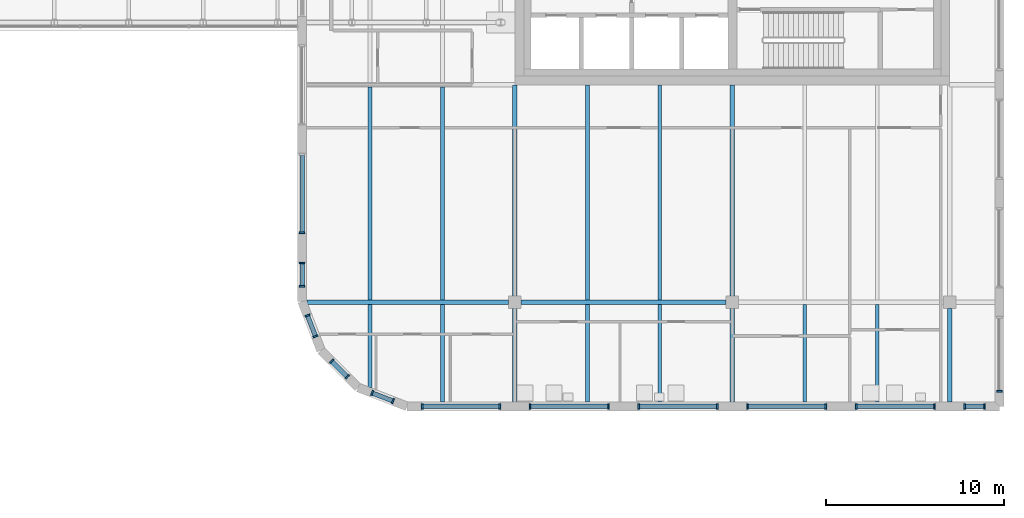
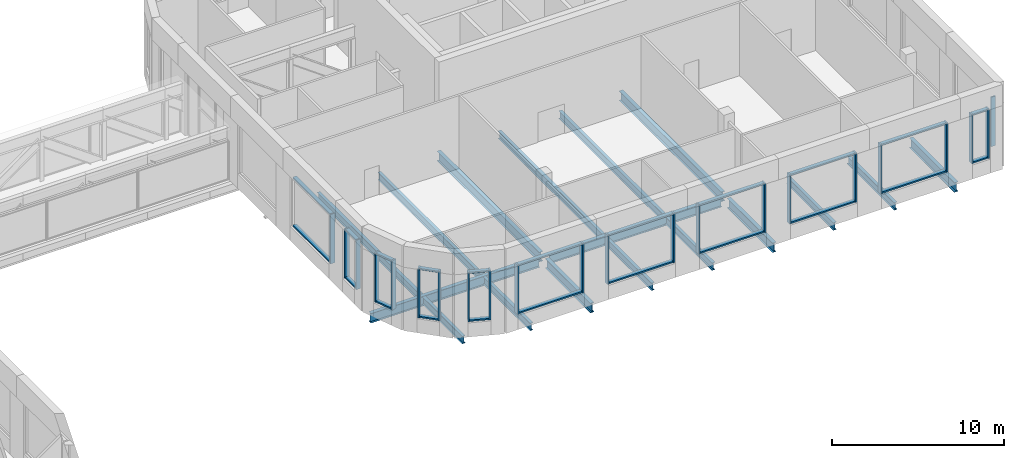
# One storey, part 8 of 36: 44 members, 17 beams, 12 elements without a shape of their own.
"""IFC4 building model written with IfcOpenShell, lengths in metres."""

from ifc_helpers import new_model, si_unit, direction, frame, origin, origin_2d, place, context, subcontext, project, spatial, rectangle, i_section, extrude, material, material_profile, profile_set, type_object, element, aggregate, save


model = new_model("IFC4")

# Units and contexts
model_context = context("Model", 3, precision=1e-05, world=origin(), true_north=direction((0.0, 1.0)))
body_context = subcontext(model_context, "Body", "Model", "MODEL_VIEW")
ifc_project = project(units=[si_unit("LENGTHUNIT", "METRE"), si_unit("AREAUNIT", "SQUARE_METRE"), si_unit("VOLUMEUNIT", "CUBIC_METRE"), si_unit("PLANEANGLEUNIT", "RADIAN"), si_unit("MASSUNIT", "GRAM", prefix="KILO")], contexts=[model_context])

# Site, building, storey
site_placement = place(None, origin())
site = spatial("IfcSite", under=ifc_project, at=site_placement, CompositionType="ELEMENT")
building_placement = place(site_placement, origin())
building = spatial("IfcBuilding", under=site, at=building_placement, Name="Tessera Gate Towers", CompositionType="ELEMENT")
storey_placement = place(building_placement, frame((0.0, 0.0, 106.60009765625)))
storey = spatial("IfcBuildingStorey", under=building, at=storey_placement, Name="L26", CompositionType="ELEMENT", Elevation=106.60009765625)

# Beams
ifc_material_1 = material(Name="Steel 350W", Category="steel")
ifc_material_profile_1 = material_profile(ifc_material_1, i_section(OverallWidth=0.2529296875, OverallDepth=0.677978515625, WebThickness=0.01171875, FlangeThickness=0.016357421875, at=origin_2d()), Name="W690x125")
ifc_profile_set_1 = profile_set([ifc_material_profile_1], Name="Steel 350W")
beam_type_1 = type_object("IfcBeamType", Name="FLOOR GIRDER W690x125", PredefinedType="BEAM", material=ifc_profile_set_1)
beam_1_placement = place(storey_placement, frame((85.934814453125, 24.39990234375, -0.589111328125), z_axis=(1.0, 0.0, 0.0), x_axis=(0.0, 1.0, 0.0)))
element("IfcBeam", 1, at=beam_1_placement, inside=storey, type_object=beam_type_1, Name="T2-GD-L26-3478", PredefinedType="BEAM", context=body_context, shape_type="SweptSolid", body=[
    extrude(i_section(OverallWidth=0.2529296875, OverallDepth=0.677978515625, WebThickness=0.01171875, FlangeThickness=0.016357421875, at=origin_2d()), origin(), (0.0, 0.0, 1.0), 11.315185546875),
])
beam_2_placement = place(storey_placement, frame((97.949951171875, 24.39990234375, -0.589111328125), z_axis=(1.0, 0.0, 0.0), x_axis=(0.0, 1.0, 0.0)))
element("IfcBeam", 2, at=beam_2_placement, inside=storey, type_object=beam_type_1, Name="T2-GD-L26-3479", PredefinedType="BEAM", context=body_context, shape_type="SweptSolid", body=[
    extrude(i_section(OverallWidth=0.2529296875, OverallDepth=0.677978515625, WebThickness=0.01171875, FlangeThickness=0.016357421875, at=origin_2d()), origin(), (0.0, 0.0, 1.0), 11.5),
])
beam_3_placement = place(storey_placement, frame((97.60009765625, 18.799072265625, -0.589111328125), z_axis=(0.0, 1.0, 0.0), x_axis=(-1.0, 0.0, 0.0)))
element("IfcBeam", 3, at=beam_3_placement, inside=storey, type_object=beam_type_1, Name="T2-GD-L26-3486", PredefinedType="BEAM", context=body_context, shape_type="SweptSolid", body=[
    extrude(i_section(OverallWidth=0.2529296875, OverallDepth=0.677978515625, WebThickness=0.01171875, FlangeThickness=0.016357421875, at=origin_2d()), origin(), (0.0, 0.0, 1.0), 5.2509765625),
])
beam_4_placement = place(storey_placement, frame((97.60009765625, 24.75, -0.589111328125), z_axis=(0.0, 1.0, 0.0), x_axis=(-1.0, 0.0, 0.0)))
element("IfcBeam", 4, at=beam_4_placement, inside=storey, type_object=beam_type_1, Name="T2-GD-L26-3487", PredefinedType="BEAM", context=body_context, shape_type="SweptSolid", body=[
    extrude(i_section(OverallWidth=0.2529296875, OverallDepth=0.677978515625, WebThickness=0.01171875, FlangeThickness=0.016357421875, at=origin_2d()), origin(), (0.0, 0.0, 1.0), 11.85009765625),
])
beam_5_placement = place(storey_placement, frame((109.800048828125, 18.799072265625, -0.589111328125), z_axis=(0.0, 1.0, 0.0), x_axis=(-1.0, 0.0, 0.0)))
element("IfcBeam", 5, at=beam_5_placement, inside=storey, type_object=beam_type_1, Name="T2-GD-L26-3488", PredefinedType="BEAM", context=body_context, shape_type="SweptSolid", body=[
    extrude(i_section(OverallWidth=0.2529296875, OverallDepth=0.677978515625, WebThickness=0.01171875, FlangeThickness=0.016357421875, at=origin_2d()), origin(), (0.0, 0.0, 1.0), 5.2509765625),
])
beam_6_placement = place(storey_placement, frame((109.800048828125, 24.75, -0.589111328125), z_axis=(0.0, 1.0, 0.0), x_axis=(-1.0, 0.0, 0.0)))
element("IfcBeam", 6, at=beam_6_placement, inside=storey, type_object=beam_type_1, Name="T2-GD-L26-3489", PredefinedType="BEAM", context=body_context, shape_type="SweptSolid", body=[
    extrude(i_section(OverallWidth=0.2529296875, OverallDepth=0.677978515625, WebThickness=0.01171875, FlangeThickness=0.016357421875, at=origin_2d()), origin(), (0.0, 0.0, 1.0), 11.85009765625),
])
beam_7_placement = place(storey_placement, frame((122.0, 18.799072265625, -0.589111328125), z_axis=(0.0, 1.0, 0.0), x_axis=(-1.0, 0.0, 0.0)))
element("IfcBeam", 7, at=beam_7_placement, inside=storey, type_object=beam_type_1, Name="T2-GD-L26-3490", PredefinedType="BEAM", context=body_context, shape_type="SweptSolid", body=[
    extrude(i_section(OverallWidth=0.2529296875, OverallDepth=0.677978515625, WebThickness=0.01171875, FlangeThickness=0.016357421875, at=origin_2d()), origin(), (0.0, 0.0, 1.0), 5.2509765625),
])
ifc_material_2 = material(Name="Steel 350W", Category="steel")
ifc_material_profile_2 = material_profile(ifc_material_2, i_section(OverallWidth=0.208984375, OverallDepth=0.528076171875, WebThickness=0.009521484375, FlangeThickness=0.01318359375, at=origin_2d()), Name="W530x82")
ifc_profile_set_2 = profile_set([ifc_material_profile_2], Name="Steel 350W")
beam_type_2 = type_object("IfcBeamType", Name="FLOOR SECONDARY W530x82", PredefinedType="BEAM", material=ifc_profile_set_2)
beam_8_placement = place(storey_placement, frame((89.466796875, 19.620361328125, -0.51416015625), z_axis=(0.0, 1.0, 0.0), x_axis=(-1.0, 0.0, 0.0)))
element("IfcBeam", 8, at=beam_8_placement, inside=storey, type_object=beam_type_2, Name="T2-BM-L26-3494", PredefinedType="BEAM", context=body_context, shape_type="SweptSolid", body=[
    extrude(i_section(OverallWidth=0.208984375, OverallDepth=0.528076171875, WebThickness=0.009521484375, FlangeThickness=0.01318359375, at=origin_2d()), origin(), (0.0, 0.0, 1.0), 4.653076171875),
])
beam_9_placement = place(storey_placement, frame((89.466796875, 24.526611328125, -0.51416015625), z_axis=(0.0, 1.0, 0.0), x_axis=(-1.0, 0.0, 0.0)))
element("IfcBeam", 9, at=beam_9_placement, inside=storey, type_object=beam_type_2, Name="T2-BM-L26-3495", PredefinedType="BEAM", context=body_context, shape_type="SweptSolid", body=[
    extrude(i_section(OverallWidth=0.208984375, OverallDepth=0.528076171875, WebThickness=0.009521484375, FlangeThickness=0.01318359375, at=origin_2d()), origin(), (0.0, 0.0, 1.0), 11.94677734375),
])
beam_10_placement = place(storey_placement, frame((93.533203125, 18.800048828125, -0.51416015625), z_axis=(0.0, 1.0, 0.0), x_axis=(-1.0, 0.0, 0.0)))
element("IfcBeam", 10, at=beam_10_placement, inside=storey, type_object=beam_type_2, Name="T2-BM-L26-3499", PredefinedType="BEAM", context=body_context, shape_type="SweptSolid", body=[
    extrude(i_section(OverallWidth=0.208984375, OverallDepth=0.528076171875, WebThickness=0.009521484375, FlangeThickness=0.01318359375, at=origin_2d()), origin(), (0.0, 0.0, 1.0), 5.473388671875),
])
beam_11_placement = place(storey_placement, frame((93.533203125, 24.526611328125, -0.51416015625), z_axis=(0.0, 1.0, 0.0), x_axis=(-1.0, 0.0, 0.0)))
element("IfcBeam", 11, at=beam_11_placement, inside=storey, type_object=beam_type_2, Name="T2-BM-L26-3500", PredefinedType="BEAM", context=body_context, shape_type="SweptSolid", body=[
    extrude(i_section(OverallWidth=0.208984375, OverallDepth=0.528076171875, WebThickness=0.009521484375, FlangeThickness=0.01318359375, at=origin_2d()), origin(), (0.0, 0.0, 1.0), 11.94677734375),
])
beam_12_placement = place(storey_placement, frame((101.666748046875, 18.800048828125, -0.51416015625), z_axis=(0.0, 1.0, 0.0), x_axis=(-1.0, 0.0, 0.0)))
element("IfcBeam", 12, at=beam_12_placement, inside=storey, type_object=beam_type_2, Name="T2-BM-L26-3505", PredefinedType="BEAM", context=body_context, shape_type="SweptSolid", body=[
    extrude(i_section(OverallWidth=0.208984375, OverallDepth=0.528076171875, WebThickness=0.009521484375, FlangeThickness=0.01318359375, at=origin_2d()), origin(), (0.0, 0.0, 1.0), 5.473388671875),
])
beam_13_placement = place(storey_placement, frame((101.666748046875, 24.526611328125, -0.51416015625), z_axis=(0.0, 1.0, 0.0), x_axis=(-1.0, 0.0, 0.0)))
element("IfcBeam", 13, at=beam_13_placement, inside=storey, type_object=beam_type_2, Name="T2-BM-L26-3506", PredefinedType="BEAM", context=body_context, shape_type="SweptSolid", body=[
    extrude(i_section(OverallWidth=0.208984375, OverallDepth=0.528076171875, WebThickness=0.009521484375, FlangeThickness=0.01318359375, at=origin_2d()), origin(), (0.0, 0.0, 1.0), 12.073486328125),
])
beam_14_placement = place(storey_placement, frame((105.7333984375, 18.800048828125, -0.51416015625), z_axis=(0.0, 1.0, 0.0), x_axis=(-1.0, 0.0, 0.0)))
element("IfcBeam", 14, at=beam_14_placement, inside=storey, type_object=beam_type_2, Name="T2-BM-L26-3507", PredefinedType="BEAM", context=body_context, shape_type="SweptSolid", body=[
    extrude(i_section(OverallWidth=0.208984375, OverallDepth=0.528076171875, WebThickness=0.009521484375, FlangeThickness=0.01318359375, at=origin_2d()), origin(), (0.0, 0.0, 1.0), 5.473388671875),
])
beam_15_placement = place(storey_placement, frame((105.7333984375, 24.526611328125, -0.51416015625), z_axis=(0.0, 1.0, 0.0), x_axis=(-1.0, 0.0, 0.0)))
element("IfcBeam", 15, at=beam_15_placement, inside=storey, type_object=beam_type_2, Name="T2-BM-L26-3508", PredefinedType="BEAM", context=body_context, shape_type="SweptSolid", body=[
    extrude(i_section(OverallWidth=0.208984375, OverallDepth=0.528076171875, WebThickness=0.009521484375, FlangeThickness=0.01318359375, at=origin_2d()), origin(), (0.0, 0.0, 1.0), 12.073486328125),
])
for number, where, z_axis, x_axis, name in (
    (16, (113.86669921875, 18.800048828125, -0.51416015625), (0.0, 1.0, 0.0), (-1.0, 0.0, 0.0), "T2-BM-L26-3510"),
    (17, (117.933349609375, 18.800048828125, -0.51416015625), (0.0, 1.0, 0.0), (-1.0, 0.0, 0.0), "T2-BM-L26-3513"),
):
    element("IfcBeam", number, at=place(storey_placement, frame(where, z_axis=z_axis, x_axis=x_axis)), inside=storey, type_object=beam_type_2, Name=name, PredefinedType="BEAM", context=body_context, shape_type="SweptSolid", body=[
        extrude(i_section(OverallWidth=0.208984375, OverallDepth=0.528076171875, WebThickness=0.009521484375, FlangeThickness=0.01318359375, at=origin_2d()), origin(), (0.0, 0.0, 1.0), 5.473388671875),
    ])

# Curtain wall, members
ifc_material_3 = material(Name="Aluminium frame", Category="aluminium")
curtain_wall_type = type_object("IfcCurtainWallType", Name="CW-S3 amenity floor glazing", PredefinedType="NOTDEFINED", material=ifc_material_3)
curtain_wall_1_placement = place(storey_placement, origin())
curtain_wall_1 = element("IfcCurtainWall", 18, at=curtain_wall_1_placement, inside=storey, type_object=curtain_wall_type, Name="Curtain wall amenity floor glazing 0119", PredefinedType="NOTDEFINED")
ifc_material_4 = material(Name="Aluminium frame", Category="aluminium")
ifc_material_profile_3 = material_profile(ifc_material_4, rectangle(XDim=0.10009765625, YDim=0.300048828125, at=origin_2d()), Name="AL 100x300")
ifc_profile_set_3 = profile_set([ifc_material_profile_3], Name="Aluminium frame")
member_type_1 = type_object("IfcMemberType", Name="MU-S3 mullion 100x300", PredefinedType="MULLION", material=ifc_profile_set_3)
member_1_placement = place(storey_placement, frame((92.396484375, 18.550048828125, 1.0), z_axis=(0.0, 0.0, 1.0), x_axis=(1.0, 0.0, 0.0)))
member_1 = element("IfcMember", 19, at=member_1_placement, type_object=member_type_1, Name="T2-CW3-0119 mullion 1", PredefinedType="MULLION", context=body_context, shape_type="SweptSolid", body=[
    extrude(rectangle(XDim=0.10009765625, YDim=0.300048828125, at=origin_2d()), origin(), (0.0, 0.0, 1.0), 3.5),
])
member_2_placement = place(storey_placement, frame((96.75, 18.550048828125, 1.0), z_axis=(0.0, 0.0, 1.0), x_axis=(1.0, 0.0, 0.0)))
member_2 = element("IfcMember", 20, at=member_2_placement, type_object=member_type_1, Name="T2-CW3-0119 mullion 2", PredefinedType="MULLION", context=body_context, shape_type="SweptSolid", body=[
    extrude(rectangle(XDim=0.10009765625, YDim=0.300048828125, at=origin_2d()), origin(), (0.0, 0.0, 1.0), 3.5),
])

curtain_wall_2_placement = place(storey_placement, origin())
curtain_wall_2 = element("IfcCurtainWall", 21, at=curtain_wall_2_placement, inside=storey, type_object=curtain_wall_type, Name="Curtain wall amenity floor glazing 0120", PredefinedType="NOTDEFINED")
member_3_placement = place(storey_placement, frame((98.449951171875, 18.550048828125, 1.0), z_axis=(0.0, 0.0, 1.0), x_axis=(1.0, 0.0, 0.0)))
member_3 = element("IfcMember", 22, at=member_3_placement, type_object=member_type_1, Name="T2-CW3-0120 mullion 1", PredefinedType="MULLION", context=body_context, shape_type="SweptSolid", body=[
    extrude(rectangle(XDim=0.10009765625, YDim=0.300048828125, at=origin_2d()), origin(), (0.0, 0.0, 1.0), 3.5),
])
member_4_placement = place(storey_placement, frame((102.85009765625, 18.550048828125, 1.0), z_axis=(0.0, 0.0, 1.0), x_axis=(1.0, 0.0, 0.0)))
member_4 = element("IfcMember", 23, at=member_4_placement, type_object=member_type_1, Name="T2-CW3-0120 mullion 2", PredefinedType="MULLION", context=body_context, shape_type="SweptSolid", body=[
    extrude(rectangle(XDim=0.10009765625, YDim=0.300048828125, at=origin_2d()), origin(), (0.0, 0.0, 1.0), 3.5),
])

curtain_wall_3_placement = place(storey_placement, origin())
curtain_wall_3 = element("IfcCurtainWall", 24, at=curtain_wall_3_placement, inside=storey, type_object=curtain_wall_type, Name="Curtain wall amenity floor glazing 0121", PredefinedType="NOTDEFINED")
member_5_placement = place(storey_placement, frame((104.550048828125, 18.550048828125, 1.0), z_axis=(0.0, 0.0, 1.0), x_axis=(1.0, 0.0, 0.0)))
member_5 = element("IfcMember", 25, at=member_5_placement, type_object=member_type_1, Name="T2-CW3-0121 mullion 1", PredefinedType="MULLION", context=body_context, shape_type="SweptSolid", body=[
    extrude(rectangle(XDim=0.10009765625, YDim=0.300048828125, at=origin_2d()), origin(), (0.0, 0.0, 1.0), 3.5),
])
member_6_placement = place(storey_placement, frame((108.949951171875, 18.550048828125, 1.0), z_axis=(0.0, 0.0, 1.0), x_axis=(1.0, 0.0, 0.0)))
member_6 = element("IfcMember", 26, at=member_6_placement, type_object=member_type_1, Name="T2-CW3-0121 mullion 2", PredefinedType="MULLION", context=body_context, shape_type="SweptSolid", body=[
    extrude(rectangle(XDim=0.10009765625, YDim=0.300048828125, at=origin_2d()), origin(), (0.0, 0.0, 1.0), 3.5),
])

curtain_wall_4_placement = place(storey_placement, origin())
curtain_wall_4 = element("IfcCurtainWall", 27, at=curtain_wall_4_placement, inside=storey, type_object=curtain_wall_type, Name="Curtain wall amenity floor glazing 0122", PredefinedType="NOTDEFINED")
member_7_placement = place(storey_placement, frame((110.64990234375, 18.550048828125, 1.0), z_axis=(0.0, 0.0, 1.0), x_axis=(1.0, 0.0, 0.0)))
member_7 = element("IfcMember", 28, at=member_7_placement, type_object=member_type_1, Name="T2-CW3-0122 mullion 1", PredefinedType="MULLION", context=body_context, shape_type="SweptSolid", body=[
    extrude(rectangle(XDim=0.10009765625, YDim=0.300048828125, at=origin_2d()), origin(), (0.0, 0.0, 1.0), 3.5),
])
member_8_placement = place(storey_placement, frame((115.050048828125, 18.550048828125, 1.0), z_axis=(0.0, 0.0, 1.0), x_axis=(1.0, 0.0, 0.0)))
member_8 = element("IfcMember", 29, at=member_8_placement, type_object=member_type_1, Name="T2-CW3-0122 mullion 2", PredefinedType="MULLION", context=body_context, shape_type="SweptSolid", body=[
    extrude(rectangle(XDim=0.10009765625, YDim=0.300048828125, at=origin_2d()), origin(), (0.0, 0.0, 1.0), 3.5),
])

curtain_wall_5_placement = place(storey_placement, origin())
curtain_wall_5 = element("IfcCurtainWall", 30, at=curtain_wall_5_placement, inside=storey, type_object=curtain_wall_type, Name="Curtain wall amenity floor glazing 0123", PredefinedType="NOTDEFINED")
member_9_placement = place(storey_placement, frame((116.75, 18.550048828125, 1.0), z_axis=(0.0, 0.0, 1.0), x_axis=(1.0, 0.0, 0.0)))
member_9 = element("IfcMember", 31, at=member_9_placement, type_object=member_type_1, Name="T2-CW3-0123 mullion 1", PredefinedType="MULLION", context=body_context, shape_type="SweptSolid", body=[
    extrude(rectangle(XDim=0.10009765625, YDim=0.300048828125, at=origin_2d()), origin(), (0.0, 0.0, 1.0), 3.5),
])
member_10_placement = place(storey_placement, frame((121.14990234375, 18.550048828125, 1.0), z_axis=(0.0, 0.0, 1.0), x_axis=(1.0, 0.0, 0.0)))
member_10 = element("IfcMember", 32, at=member_10_placement, type_object=member_type_1, Name="T2-CW3-0123 mullion 2", PredefinedType="MULLION", context=body_context, shape_type="SweptSolid", body=[
    extrude(rectangle(XDim=0.10009765625, YDim=0.300048828125, at=origin_2d()), origin(), (0.0, 0.0, 1.0), 3.5),
])

curtain_wall_6_placement = place(storey_placement, origin())
curtain_wall_6 = element("IfcCurtainWall", 33, at=curtain_wall_6_placement, inside=storey, type_object=curtain_wall_type, Name="Curtain wall amenity floor glazing 0124", PredefinedType="NOTDEFINED")
member_11_placement = place(storey_placement, frame((122.85009765625, 18.550048828125, 1.0), z_axis=(0.0, 0.0, 1.0), x_axis=(1.0, 0.0, 0.0)))
member_11 = element("IfcMember", 34, at=member_11_placement, type_object=member_type_1, Name="T2-CW3-0124 mullion 1", PredefinedType="MULLION", context=body_context, shape_type="SweptSolid", body=[
    extrude(rectangle(XDim=0.10009765625, YDim=0.300048828125, at=origin_2d()), origin(), (0.0, 0.0, 1.0), 3.5),
])
member_12_placement = place(storey_placement, frame((123.949951171875, 18.550048828125, 1.0), z_axis=(0.0, 0.0, 1.0), x_axis=(1.0, 0.0, 0.0)))
member_12 = element("IfcMember", 35, at=member_12_placement, type_object=member_type_1, Name="T2-CW3-0124 mullion 2", PredefinedType="MULLION", context=body_context, shape_type="SweptSolid", body=[
    extrude(rectangle(XDim=0.10009765625, YDim=0.300048828125, at=origin_2d()), origin(), (0.0, 0.0, 1.0), 3.5),
])

# Curtain wall, member
curtain_wall_7_placement = place(storey_placement, origin())
curtain_wall_7 = element("IfcCurtainWall", 36, at=curtain_wall_7_placement, inside=storey, type_object=curtain_wall_type, Name="Curtain wall amenity floor glazing 0125", PredefinedType="NOTDEFINED")
member_13_placement = place(storey_placement, frame((124.800048828125, 19.39990234375, 1.0), z_axis=(0.0, 0.0, 1.0), x_axis=(0.0, 1.0, 0.0)))
member_13 = element("IfcMember", 37, at=member_13_placement, type_object=member_type_1, Name="T2-CW3-0125 mullion 1", PredefinedType="MULLION", context=body_context, shape_type="SweptSolid", body=[
    extrude(rectangle(XDim=0.10009765625, YDim=0.300048828125, at=origin_2d()), origin(), (0.0, 0.0, 1.0), 3.5),
])
aggregate(curtain_wall_7, [member_13])

curtain_wall_8_placement = place(storey_placement, origin())
curtain_wall_8 = element("IfcCurtainWall", 38, at=curtain_wall_8_placement, inside=storey, type_object=curtain_wall_type, Name="Curtain wall amenity floor glazing 0142", PredefinedType="NOTDEFINED")
member_14_placement = place(storey_placement, frame((85.64990234375, 28.300048828125, 1.0), z_axis=(0.0, 0.0, 1.0), x_axis=(0.0, -1.0, 0.0)))
member_14 = element("IfcMember", 39, at=member_14_placement, type_object=member_type_1, Name="T2-CW3-0142 mullion 2", PredefinedType="MULLION", context=body_context, shape_type="SweptSolid", body=[
    extrude(rectangle(XDim=0.10009765625, YDim=0.300048828125, at=origin_2d()), origin(), (0.0, 0.0, 1.0), 3.5),
])

# Curtain wall, members
curtain_wall_9_placement = place(storey_placement, origin())
curtain_wall_9 = element("IfcCurtainWall", 40, at=curtain_wall_9_placement, inside=storey, type_object=curtain_wall_type, Name="Curtain wall amenity floor glazing 0143", PredefinedType="NOTDEFINED")
member_15_placement = place(storey_placement, frame((85.64990234375, 26.60009765625, 1.0), z_axis=(0.0, 0.0, 1.0), x_axis=(0.0, -1.0, 0.0)))
member_15 = element("IfcMember", 41, at=member_15_placement, type_object=member_type_1, Name="T2-CW3-0143 mullion 1", PredefinedType="MULLION", context=body_context, shape_type="SweptSolid", body=[
    extrude(rectangle(XDim=0.10009765625, YDim=0.300048828125, at=origin_2d()), origin(), (0.0, 0.0, 1.0), 3.5),
])
member_16_placement = place(storey_placement, frame((85.64990234375, 25.296630859375, 1.0), z_axis=(0.0, 0.0, 1.0), x_axis=(0.0, -1.0, 0.0)))
member_16 = element("IfcMember", 42, at=member_16_placement, type_object=member_type_1, Name="T2-CW3-0143 mullion 2", PredefinedType="MULLION", context=body_context, shape_type="SweptSolid", body=[
    extrude(rectangle(XDim=0.10009765625, YDim=0.300048828125, at=origin_2d()), origin(), (0.0, 0.0, 1.0), 3.5),
])

curtain_wall_10_placement = place(storey_placement, origin())
curtain_wall_10 = element("IfcCurtainWall", 43, at=curtain_wall_10_placement, inside=storey, type_object=curtain_wall_type, Name="Curtain wall amenity floor glazing 0144", PredefinedType="NOTDEFINED")
member_17_placement = place(storey_placement, frame((85.955810546875, 23.653564453125, 1.0), z_axis=(0.0, 0.0, 1.0), x_axis=(0.359904070394, -0.932989314041, 0.0)))
member_17 = element("IfcMember", 44, at=member_17_placement, type_object=member_type_1, Name="T2-CW3-0144 mullion 1", PredefinedType="MULLION", context=body_context, shape_type="SweptSolid", body=[
    extrude(rectangle(XDim=0.10009765625, YDim=0.300048828125, at=origin_2d()), origin(), (0.0, 0.0, 1.0), 3.5),
])
member_18_placement = place(storey_placement, frame((86.406005859375, 22.48681640625, 1.0), z_axis=(0.0, 0.0, 1.0), x_axis=(0.359904070394, -0.932989314041, 0.0)))
member_18 = element("IfcMember", 45, at=member_18_placement, type_object=member_type_1, Name="T2-CW3-0144 mullion 2", PredefinedType="MULLION", context=body_context, shape_type="SweptSolid", body=[
    extrude(rectangle(XDim=0.10009765625, YDim=0.300048828125, at=origin_2d()), origin(), (0.0, 0.0, 1.0), 3.5),
])

curtain_wall_11_placement = place(storey_placement, origin())
curtain_wall_11 = element("IfcCurtainWall", 46, at=curtain_wall_11_placement, inside=storey, type_object=curtain_wall_type, Name="Curtain wall amenity floor glazing 0145", PredefinedType="NOTDEFINED")
member_19_placement = place(storey_placement, frame((87.31298828125, 21.0927734375, 1.0), z_axis=(0.0, 0.0, 1.0), x_axis=(0.707106781187, -0.707106781187, 0.0)))
member_19 = element("IfcMember", 47, at=member_19_placement, type_object=member_type_1, Name="T2-CW3-0145 mullion 1", PredefinedType="MULLION", context=body_context, shape_type="SweptSolid", body=[
    extrude(rectangle(XDim=0.10009765625, YDim=0.300048828125, at=origin_2d()), origin(), (0.0, 0.0, 1.0), 3.5),
])
member_20_placement = place(storey_placement, frame((88.192626953125, 20.212890625, 1.0), z_axis=(0.0, 0.0, 1.0), x_axis=(0.707106781187, -0.707106781187, 0.0)))
member_20 = element("IfcMember", 48, at=member_20_placement, type_object=member_type_1, Name="T2-CW3-0145 mullion 2", PredefinedType="MULLION", context=body_context, shape_type="SweptSolid", body=[
    extrude(rectangle(XDim=0.10009765625, YDim=0.300048828125, at=origin_2d()), origin(), (0.0, 0.0, 1.0), 3.5),
])

curtain_wall_12_placement = place(storey_placement, origin())
curtain_wall_12 = element("IfcCurtainWall", 49, at=curtain_wall_12_placement, inside=storey, type_object=curtain_wall_type, Name="Curtain wall amenity floor glazing 0146", PredefinedType="NOTDEFINED")
member_21_placement = place(storey_placement, frame((89.586669921875, 19.305908203125, 1.0), z_axis=(0.0, 0.0, 1.0), x_axis=(0.932989314041, -0.359904070394, 0.0)))
member_21 = element("IfcMember", 50, at=member_21_placement, type_object=member_type_1, Name="T2-CW3-0146 mullion 1", PredefinedType="MULLION", context=body_context, shape_type="SweptSolid", body=[
    extrude(rectangle(XDim=0.10009765625, YDim=0.300048828125, at=origin_2d()), origin(), (0.0, 0.0, 1.0), 3.5),
])
member_22_placement = place(storey_placement, frame((90.75341796875, 18.85595703125, 1.0), z_axis=(0.0, 0.0, 1.0), x_axis=(0.932989314041, -0.359904070394, 0.0)))
member_22 = element("IfcMember", 51, at=member_22_placement, type_object=member_type_1, Name="T2-CW3-0146 mullion 2", PredefinedType="MULLION", context=body_context, shape_type="SweptSolid", body=[
    extrude(rectangle(XDim=0.10009765625, YDim=0.300048828125, at=origin_2d()), origin(), (0.0, 0.0, 1.0), 3.5),
])

# Member
ifc_material_5 = material(Name="Aluminium frame", Category="aluminium")
ifc_material_profile_4 = material_profile(ifc_material_5, rectangle(XDim=0.25, YDim=0.10009765625, at=origin_2d()), Name="AL 100x250")
ifc_profile_set_4 = profile_set([ifc_material_profile_4], Name="Aluminium frame")
member_type_2 = type_object("IfcMemberType", Name="TR-S3 transom 100x250", PredefinedType="USERDEFINED", material=ifc_profile_set_4)
member_23_placement = place(storey_placement, frame((92.446533203125, 18.550048828125, 1.0498046875), z_axis=(1.0, 0.0, 0.0), x_axis=(0.0, 1.0, 0.0)))
member_23 = element("IfcMember", 52, at=member_23_placement, type_object=member_type_2, Name="T2-CW3-0119 transom 1.1", ObjectType="TRANSOM", PredefinedType="USERDEFINED", context=body_context, shape_type="SweptSolid", body=[
    extrude(rectangle(XDim=0.25, YDim=0.10009765625, at=origin_2d()), origin(), (0.0, 0.0, 1.0), 4.25341796875),
])

member_24_placement = place(storey_placement, frame((92.446533203125, 18.550048828125, 4.449951171875), z_axis=(1.0, 0.0, 0.0), x_axis=(0.0, 1.0, 0.0)))
member_24 = element("IfcMember", 53, at=member_24_placement, type_object=member_type_2, Name="T2-CW3-0119 transom 1.2", ObjectType="TRANSOM", PredefinedType="USERDEFINED", context=body_context, shape_type="SweptSolid", body=[
    extrude(rectangle(XDim=0.25, YDim=0.10009765625, at=origin_2d()), origin(), (0.0, 0.0, 1.0), 4.25341796875),
])

aggregate(curtain_wall_1, [member_1, member_2, member_23, member_24])

member_25_placement = place(storey_placement, frame((98.5, 18.550048828125, 1.0498046875), z_axis=(1.0, 0.0, 0.0), x_axis=(0.0, 1.0, 0.0)))
member_25 = element("IfcMember", 54, at=member_25_placement, type_object=member_type_2, Name="T2-CW3-0120 transom 1.1", ObjectType="TRANSOM", PredefinedType="USERDEFINED", context=body_context, shape_type="SweptSolid", body=[
    extrude(rectangle(XDim=0.25, YDim=0.10009765625, at=origin_2d()), origin(), (0.0, 0.0, 1.0), 4.300048828125),
])

member_26_placement = place(storey_placement, frame((98.5, 18.550048828125, 4.449951171875), z_axis=(1.0, 0.0, 0.0), x_axis=(0.0, 1.0, 0.0)))
member_26 = element("IfcMember", 55, at=member_26_placement, type_object=member_type_2, Name="T2-CW3-0120 transom 1.2", ObjectType="TRANSOM", PredefinedType="USERDEFINED", context=body_context, shape_type="SweptSolid", body=[
    extrude(rectangle(XDim=0.25, YDim=0.10009765625, at=origin_2d()), origin(), (0.0, 0.0, 1.0), 4.300048828125),
])

aggregate(curtain_wall_2, [member_3, member_4, member_25, member_26])

member_27_placement = place(storey_placement, frame((104.60009765625, 18.550048828125, 1.0498046875), z_axis=(1.0, 0.0, 0.0), x_axis=(0.0, 1.0, 0.0)))
member_27 = element("IfcMember", 56, at=member_27_placement, type_object=member_type_2, Name="T2-CW3-0121 transom 1.1", ObjectType="TRANSOM", PredefinedType="USERDEFINED", context=body_context, shape_type="SweptSolid", body=[
    extrude(rectangle(XDim=0.25, YDim=0.10009765625, at=origin_2d()), origin(), (0.0, 0.0, 1.0), 4.2998046875),
])

member_28_placement = place(storey_placement, frame((104.60009765625, 18.550048828125, 4.449951171875), z_axis=(1.0, 0.0, 0.0), x_axis=(0.0, 1.0, 0.0)))
member_28 = element("IfcMember", 57, at=member_28_placement, type_object=member_type_2, Name="T2-CW3-0121 transom 1.2", ObjectType="TRANSOM", PredefinedType="USERDEFINED", context=body_context, shape_type="SweptSolid", body=[
    extrude(rectangle(XDim=0.25, YDim=0.10009765625, at=origin_2d()), origin(), (0.0, 0.0, 1.0), 4.2998046875),
])

aggregate(curtain_wall_3, [member_5, member_6, member_27, member_28])

member_29_placement = place(storey_placement, frame((110.699951171875, 18.550048828125, 1.0498046875), z_axis=(1.0, 0.0, 0.0), x_axis=(0.0, 1.0, 0.0)))
member_29 = element("IfcMember", 58, at=member_29_placement, type_object=member_type_2, Name="T2-CW3-0122 transom 1.1", ObjectType="TRANSOM", PredefinedType="USERDEFINED", context=body_context, shape_type="SweptSolid", body=[
    extrude(rectangle(XDim=0.25, YDim=0.10009765625, at=origin_2d()), origin(), (0.0, 0.0, 1.0), 4.300048828125),
])

member_30_placement = place(storey_placement, frame((110.699951171875, 18.550048828125, 4.449951171875), z_axis=(1.0, 0.0, 0.0), x_axis=(0.0, 1.0, 0.0)))
member_30 = element("IfcMember", 59, at=member_30_placement, type_object=member_type_2, Name="T2-CW3-0122 transom 1.2", ObjectType="TRANSOM", PredefinedType="USERDEFINED", context=body_context, shape_type="SweptSolid", body=[
    extrude(rectangle(XDim=0.25, YDim=0.10009765625, at=origin_2d()), origin(), (0.0, 0.0, 1.0), 4.300048828125),
])

aggregate(curtain_wall_4, [member_7, member_8, member_29, member_30])

member_31_placement = place(storey_placement, frame((116.800048828125, 18.550048828125, 1.0498046875), z_axis=(1.0, 0.0, 0.0), x_axis=(0.0, 1.0, 0.0)))
member_31 = element("IfcMember", 60, at=member_31_placement, type_object=member_type_2, Name="T2-CW3-0123 transom 1.1", ObjectType="TRANSOM", PredefinedType="USERDEFINED", context=body_context, shape_type="SweptSolid", body=[
    extrude(rectangle(XDim=0.25, YDim=0.10009765625, at=origin_2d()), origin(), (0.0, 0.0, 1.0), 4.300048828125),
])

member_32_placement = place(storey_placement, frame((116.800048828125, 18.550048828125, 4.449951171875), z_axis=(1.0, 0.0, 0.0), x_axis=(0.0, 1.0, 0.0)))
member_32 = element("IfcMember", 61, at=member_32_placement, type_object=member_type_2, Name="T2-CW3-0123 transom 1.2", ObjectType="TRANSOM", PredefinedType="USERDEFINED", context=body_context, shape_type="SweptSolid", body=[
    extrude(rectangle(XDim=0.25, YDim=0.10009765625, at=origin_2d()), origin(), (0.0, 0.0, 1.0), 4.300048828125),
])

aggregate(curtain_wall_5, [member_9, member_10, member_31, member_32])

member_33_placement = place(storey_placement, frame((122.89990234375, 18.550048828125, 1.0498046875), z_axis=(1.0, 0.0, 0.0), x_axis=(0.0, 1.0, 0.0)))
member_33 = element("IfcMember", 62, at=member_33_placement, type_object=member_type_2, Name="T2-CW3-0124 transom 1.1", ObjectType="TRANSOM", PredefinedType="USERDEFINED", context=body_context, shape_type="SweptSolid", body=[
    extrude(rectangle(XDim=0.25, YDim=0.10009765625, at=origin_2d()), origin(), (0.0, 0.0, 1.0), 1.0),
])

member_34_placement = place(storey_placement, frame((122.89990234375, 18.550048828125, 4.449951171875), z_axis=(1.0, 0.0, 0.0), x_axis=(0.0, 1.0, 0.0)))
member_34 = element("IfcMember", 63, at=member_34_placement, type_object=member_type_2, Name="T2-CW3-0124 transom 1.2", ObjectType="TRANSOM", PredefinedType="USERDEFINED", context=body_context, shape_type="SweptSolid", body=[
    extrude(rectangle(XDim=0.25, YDim=0.10009765625, at=origin_2d()), origin(), (0.0, 0.0, 1.0), 1.0),
])

aggregate(curtain_wall_6, [member_11, member_12, member_33, member_34])

member_35_placement = place(storey_placement, frame((85.64990234375, 32.64990234375, 1.0498046875), z_axis=(0.0, -1.0, 0.0), x_axis=(1.0, 0.0, 0.0)))
member_35 = element("IfcMember", 64, at=member_35_placement, type_object=member_type_2, Name="T2-CW3-0142 transom 1.1", ObjectType="TRANSOM", PredefinedType="USERDEFINED", context=body_context, shape_type="SweptSolid", body=[
    extrude(rectangle(XDim=0.25, YDim=0.10009765625, at=origin_2d()), origin(), (0.0, 0.0, 1.0), 4.2998046875),
])

member_36_placement = place(storey_placement, frame((85.64990234375, 32.64990234375, 4.449951171875), z_axis=(0.0, -1.0, 0.0), x_axis=(1.0, 0.0, 0.0)))
member_36 = element("IfcMember", 65, at=member_36_placement, type_object=member_type_2, Name="T2-CW3-0142 transom 1.2", ObjectType="TRANSOM", PredefinedType="USERDEFINED", context=body_context, shape_type="SweptSolid", body=[
    extrude(rectangle(XDim=0.25, YDim=0.10009765625, at=origin_2d()), origin(), (0.0, 0.0, 1.0), 4.2998046875),
])

aggregate(curtain_wall_8, [member_14, member_35, member_36])

member_37_placement = place(storey_placement, frame((85.64990234375, 26.550048828125, 1.0498046875), z_axis=(0.0, -1.0, 0.0), x_axis=(1.0, 0.0, 0.0)))
member_37 = element("IfcMember", 66, at=member_37_placement, type_object=member_type_2, Name="T2-CW3-0143 transom 1.1", ObjectType="TRANSOM", PredefinedType="USERDEFINED", context=body_context, shape_type="SweptSolid", body=[
    extrude(rectangle(XDim=0.25, YDim=0.10009765625, at=origin_2d()), origin(), (0.0, 0.0, 1.0), 1.20361328125),
])

member_38_placement = place(storey_placement, frame((85.64990234375, 26.550048828125, 4.449951171875), z_axis=(0.0, -1.0, 0.0), x_axis=(1.0, 0.0, 0.0)))
member_38 = element("IfcMember", 67, at=member_38_placement, type_object=member_type_2, Name="T2-CW3-0143 transom 1.2", ObjectType="TRANSOM", PredefinedType="USERDEFINED", context=body_context, shape_type="SweptSolid", body=[
    extrude(rectangle(XDim=0.25, YDim=0.10009765625, at=origin_2d()), origin(), (0.0, 0.0, 1.0), 1.20361328125),
])

aggregate(curtain_wall_9, [member_15, member_16, member_37, member_38])

member_39_placement = place(storey_placement, frame((85.973876953125, 23.60693359375, 1.0498046875), z_axis=(0.359874706938, -0.933000640571, 0.0), x_axis=(0.933000640571, 0.359874706938, 0.0)))
member_39 = element("IfcMember", 68, at=member_39_placement, type_object=member_type_2, Name="T2-CW3-0144 transom 1.1", ObjectType="TRANSOM", PredefinedType="USERDEFINED", context=body_context, shape_type="SweptSolid", body=[
    extrude(rectangle(XDim=0.25, YDim=0.10009765625, at=origin_2d()), origin(), (0.0, 0.0, 1.0), 1.150634765625),
])

member_40_placement = place(storey_placement, frame((85.973876953125, 23.60693359375, 4.449951171875), z_axis=(0.359874706938, -0.933000640571, 0.0), x_axis=(0.933000640571, 0.359874706938, 0.0)))
member_40 = element("IfcMember", 69, at=member_40_placement, type_object=member_type_2, Name="T2-CW3-0144 transom 1.2", ObjectType="TRANSOM", PredefinedType="USERDEFINED", context=body_context, shape_type="SweptSolid", body=[
    extrude(rectangle(XDim=0.25, YDim=0.10009765625, at=origin_2d()), origin(), (0.0, 0.0, 1.0), 1.150634765625),
])

aggregate(curtain_wall_10, [member_17, member_18, member_39, member_40])

member_41_placement = place(storey_placement, frame((87.348388671875, 21.057373046875, 1.0498046875), z_axis=(0.70700007225, -0.707213474022, 0.0), x_axis=(0.707213474022, 0.70700007225, 0.0)))
member_41 = element("IfcMember", 70, at=member_41_placement, type_object=member_type_2, Name="T2-CW3-0145 transom 1.1", ObjectType="TRANSOM", PredefinedType="USERDEFINED", context=body_context, shape_type="SweptSolid", body=[
    extrude(rectangle(XDim=0.25, YDim=0.10009765625, at=origin_2d()), origin(), (0.0, 0.0, 1.0), 1.14404296875),
])

member_42_placement = place(storey_placement, frame((87.348388671875, 21.057373046875, 4.449951171875), z_axis=(0.70700007225, -0.707213474022, 0.0), x_axis=(0.707213474022, 0.70700007225, 0.0)))
member_42 = element("IfcMember", 71, at=member_42_placement, type_object=member_type_2, Name="T2-CW3-0145 transom 1.2", ObjectType="TRANSOM", PredefinedType="USERDEFINED", context=body_context, shape_type="SweptSolid", body=[
    extrude(rectangle(XDim=0.25, YDim=0.10009765625, at=origin_2d()), origin(), (0.0, 0.0, 1.0), 1.14404296875),
])

aggregate(curtain_wall_11, [member_19, member_20, member_41, member_42])

member_43_placement = place(storey_placement, frame((89.633544921875, 19.2880859375, 1.0498046875), z_axis=(0.932973151687, -0.35994596571, 0.0), x_axis=(0.35994596571, 0.932973151687, 0.0)))
member_43 = element("IfcMember", 72, at=member_43_placement, type_object=member_type_2, Name="T2-CW3-0146 transom 1.1", ObjectType="TRANSOM", PredefinedType="USERDEFINED", context=body_context, shape_type="SweptSolid", body=[
    extrude(rectangle(XDim=0.25, YDim=0.10009765625, at=origin_2d()), origin(), (0.0, 0.0, 1.0), 1.150390625),
])

member_44_placement = place(storey_placement, frame((89.633544921875, 19.2880859375, 4.449951171875), z_axis=(0.932973151687, -0.35994596571, 0.0), x_axis=(0.35994596571, 0.932973151687, 0.0)))
member_44 = element("IfcMember", 73, at=member_44_placement, type_object=member_type_2, Name="T2-CW3-0146 transom 1.2", ObjectType="TRANSOM", PredefinedType="USERDEFINED", context=body_context, shape_type="SweptSolid", body=[
    extrude(rectangle(XDim=0.25, YDim=0.10009765625, at=origin_2d()), origin(), (0.0, 0.0, 1.0), 1.150390625),
])

aggregate(curtain_wall_12, [member_21, member_22, member_43, member_44])

save(model, "model.ifc")
